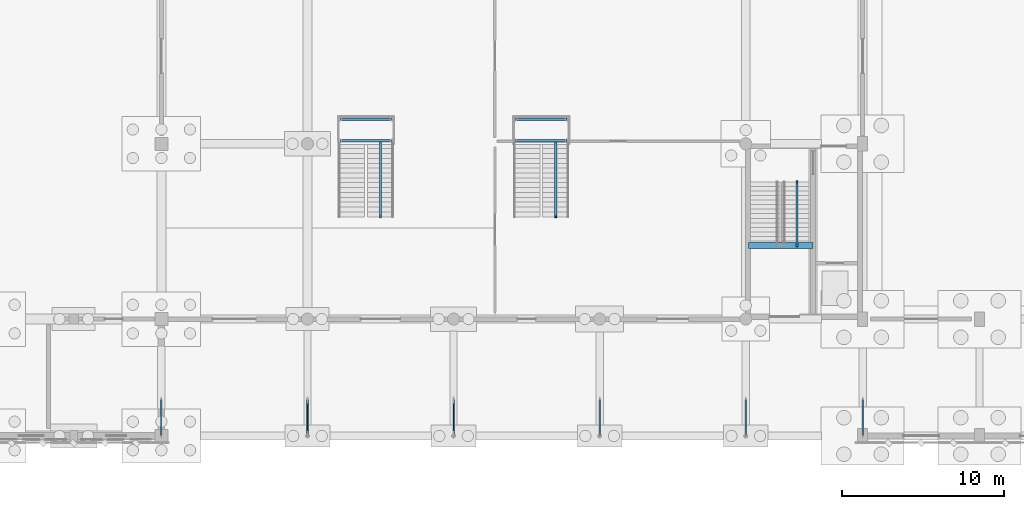
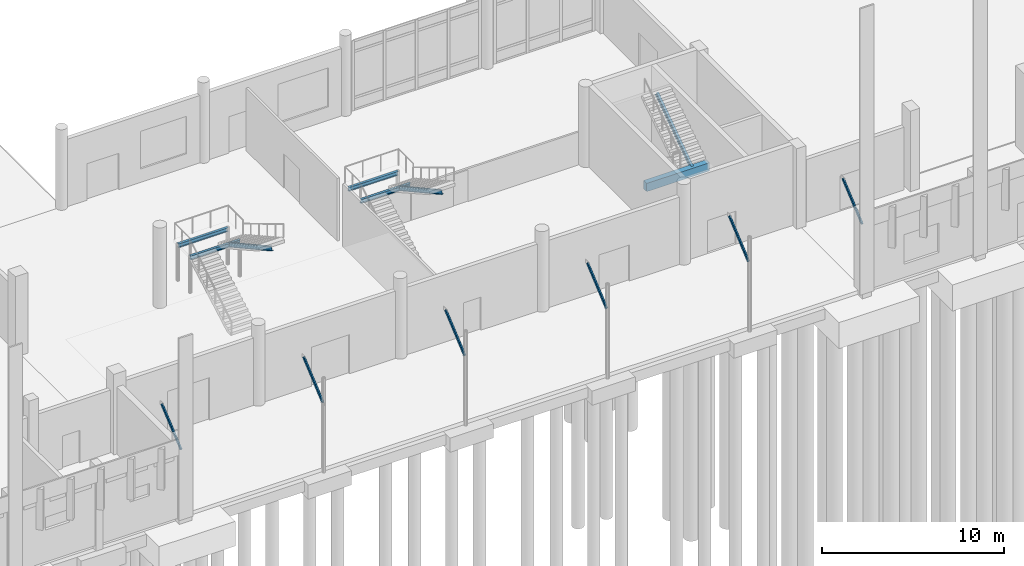
# One storey, part 32 of 109: 8 beams, 6 members.
"""IFC4 building model written with IfcOpenShell, lengths in metres."""

from ifc_helpers import new_model, si_unit, direction, frame, origin, origin_2d, place, context, subcontext, project, spatial, rectangle, hollow_rectangle, i_section, extrude, material, material_profile, profile_set, type_object, element, save


model = new_model("IFC4")

# Units and contexts
model_context = context("Model", 3, precision=1e-05, world=origin(), true_north=direction((0.0, 1.0)))
body_context = subcontext(model_context, "Body", "Model", "MODEL_VIEW")
ifc_project = project(units=[si_unit("LENGTHUNIT", "METRE"), si_unit("AREAUNIT", "SQUARE_METRE"), si_unit("VOLUMEUNIT", "CUBIC_METRE"), si_unit("PLANEANGLEUNIT", "RADIAN"), si_unit("MASSUNIT", "GRAM", prefix="KILO")], contexts=[model_context])

# Site, building, storey
site_placement = place(None, origin())
site = spatial("IfcSite", under=ifc_project, at=site_placement, CompositionType="ELEMENT")
building_placement = place(site_placement, origin())
building = spatial("IfcBuilding", under=site, at=building_placement, Name="Lusvemor Sports Hall", CompositionType="ELEMENT")
storey_placement = place(building_placement, origin())
storey = spatial("IfcBuildingStorey", under=building, at=storey_placement, Name="L00", CompositionType="ELEMENT", Elevation=0.0)

# Beams
ifc_material_1 = material(Name="Concrete C40/50", Category="concrete")
ifc_material_profile_1 = material_profile(ifc_material_1, rectangle(XDim=0.35009765625, YDim=0.550048828125, at=origin_2d()), Name="RC350x550")
ifc_profile_set_1 = profile_set([ifc_material_profile_1], Name="Concrete C40/50")
beam_type_1 = type_object("IfcBeamType", Name="BEAM_RC_550", PredefinedType="BEAM", material=ifc_profile_set_1)
beam_1_placement = place(storey_placement, frame((111.760009765625, 11.72998046875, 2.2451171875), z_axis=(1.0, 0.0, 0.0), x_axis=(0.0, 1.0, 0.0)))
element("IfcBeam", 1, at=beam_1_placement, inside=storey, type_object=beam_type_1, Name="Stair STR-C7-L00 Mid-Landing Beam", PredefinedType="BEAM", context=body_context, shape_type="SweptSolid", body=[
    extrude(rectangle(XDim=0.35009765625, YDim=0.550048828125, at=origin_2d()), origin(), (0.0, 0.0, 1.0), 3.97998046875),
])
ifc_material_2 = material(Name="Steel S355", Category="steel")
ifc_material_profile_2 = material_profile(ifc_material_2, i_section(OverallWidth=0.14794921875, OverallDepth=0.26611328125, WebThickness=0.007568359375, FlangeThickness=0.012939453125, FilletRadius=0.012939453125, at=origin_2d()), Name="W250x44.8")
ifc_profile_set_2 = profile_set([ifc_material_profile_2], Name="Steel S355")
beam_type_2 = type_object("IfcBeamType", Name="JOIST_ST_250M", PredefinedType="JOIST", material=ifc_profile_set_2)
beam_2_placement = place(storey_placement, frame((114.760009765625, 11.72998046875, 2.35498046875), z_axis=(0.0, 0.823550731654, 0.567242622158), x_axis=(-1.0, 0.0, 0.0)))
element("IfcBeam", 2, at=beam_2_placement, inside=storey, type_object=beam_type_2, Name="Stair STR-C7-L00 Flight 2 Stringer Beam", PredefinedType="JOIST", context=body_context, shape_type="SweptSolid", body=[
    extrude(i_section(OverallWidth=0.14794921875, OverallDepth=0.26611328125, WebThickness=0.007568359375, FlangeThickness=0.012939453125, FilletRadius=0.012939453125, at=origin_2d()), origin(), (0.0, 0.0, 1.0), 4.759765625),
])
for number, where, z_axis, x_axis, name in (
    (3, (86.6201171875, 18.179931640625, 2.344970703125), (1.0, 0.0, 0.0), (0.0, 1.0, 0.0), "STR-FOY-W Mid Landing Beam"),
    (4, (86.6201171875, 19.52001953125, 2.344970703125), (1.0, 0.0, 0.0), (0.0, 1.0, 0.0), "STR-FOY-W Far Landing Beam"),
):
    element("IfcBeam", number, at=place(storey_placement, frame(where, z_axis=z_axis, x_axis=x_axis)), inside=storey, type_object=beam_type_2, Name=name, PredefinedType="JOIST", context=body_context, shape_type="SweptSolid", body=[
        extrude(i_section(OverallWidth=0.14794921875, OverallDepth=0.26611328125, WebThickness=0.007568359375, FlangeThickness=0.012939453125, FilletRadius=0.012939453125, at=origin_2d()), origin(), (0.0, 0.0, 1.0), 3.159912109375),
    ])
beam_3_placement = place(storey_placement, frame((89.10009765625, 18.179931640625, 2.344970703125), z_axis=(0.0, -0.876137732048, 0.482060861803), x_axis=(1.0, 0.0, 0.0)))
element("IfcBeam", 5, at=beam_3_placement, inside=storey, type_object=beam_type_2, Name="STR-FOY-W Flight 2 Stringer", PredefinedType="JOIST", context=body_context, shape_type="SweptSolid", body=[
    extrude(i_section(OverallWidth=0.14794921875, OverallDepth=0.26611328125, WebThickness=0.007568359375, FlangeThickness=0.012939453125, FilletRadius=0.012939453125, at=origin_2d()), origin(), (0.0, 0.0, 1.0), 5.341552734375),
])
for number, where, z_axis, x_axis, name in (
    (6, (97.419921875, 18.179931640625, 2.344970703125), (1.0, 0.0, 0.0), (0.0, 1.0, 0.0), "STR-FOY-E Mid Landing Beam"),
    (7, (97.419921875, 19.52001953125, 2.344970703125), (1.0, 0.0, 0.0), (0.0, 1.0, 0.0), "STR-FOY-E Far Landing Beam"),
):
    element("IfcBeam", number, at=place(storey_placement, frame(where, z_axis=z_axis, x_axis=x_axis)), inside=storey, type_object=beam_type_2, Name=name, PredefinedType="JOIST", context=body_context, shape_type="SweptSolid", body=[
        extrude(i_section(OverallWidth=0.14794921875, OverallDepth=0.26611328125, WebThickness=0.007568359375, FlangeThickness=0.012939453125, FilletRadius=0.012939453125, at=origin_2d()), origin(), (0.0, 0.0, 1.0), 3.16015625),
    ])
beam_4_placement = place(storey_placement, frame((99.89990234375, 18.179931640625, 2.344970703125), z_axis=(0.0, -0.876137732048, 0.482060861803), x_axis=(1.0, 0.0, 0.0)))
element("IfcBeam", 8, at=beam_4_placement, inside=storey, type_object=beam_type_2, Name="STR-FOY-E Flight 2 Stringer", PredefinedType="JOIST", context=body_context, shape_type="SweptSolid", body=[
    extrude(i_section(OverallWidth=0.14794921875, OverallDepth=0.26611328125, WebThickness=0.007568359375, FlangeThickness=0.012939453125, FilletRadius=0.012939453125, at=origin_2d()), origin(), (0.0, 0.0, 1.0), 5.341552734375),
])

# Members
ifc_material_3 = material(Name="Steel S355", Category="steel")
ifc_material_profile_3 = material_profile(ifc_material_3, hollow_rectangle(XDim=0.10009765625, YDim=0.179931640625, WallThickness=0.008056640625, InnerFilletRadius=0.008056640625, OuterFilletRadius=0.01611328125, at=origin_2d()), Name="RHS180x100x8")
ifc_profile_set_3 = profile_set([ifc_material_profile_3], Name="Steel S355")
member_type = type_object("IfcMemberType", Name="STRUT_CANOPY_180", PredefinedType="STRUT", material=ifc_profile_set_3)
for number, where, z_axis, x_axis, name in (
    (9, (75.60009765625, 0.080078125, 4.300048828125), (0.0, 0.765518995892, 0.643413294025), (-1.0, 0.0, 0.0), "Art Nouveau Canopy Knee Strut 8"),
    (10, (84.60009765625, 0.080078125, 4.300048828125), (0.0, 0.765518995892, 0.643413294025), (-1.0, 0.0, 0.0), "Art Nouveau Canopy Knee Strut 9"),
    (11, (93.60009765625, 0.080078125, 4.300048828125), (0.0, 0.765518995892, 0.643413294025), (-1.0, 0.0, 0.0), "Art Nouveau Canopy Knee Strut 10"),
    (12, (102.60009765625, 0.080078125, 4.300048828125), (0.0, 0.765518995892, 0.643413294025), (-1.0, 0.0, 0.0), "Art Nouveau Canopy Knee Strut 11"),
    (13, (111.60009765625, 0.080078125, 4.300048828125), (0.0, 0.765518995892, 0.643413294025), (-1.0, 0.0, 0.0), "Art Nouveau Canopy Knee Strut 12"),
    (14, (118.800048828125, 0.080078125, 4.300048828125), (0.0, 0.765518995892, 0.643413294025), (-1.0, 0.0, 0.0), "Art Nouveau Canopy Knee Strut 13"),
):
    element("IfcMember", number, at=place(storey_placement, frame(where, z_axis=z_axis, x_axis=x_axis)), inside=storey, type_object=member_type, Name=name, PredefinedType="STRUT", context=body_context, shape_type="SweptSolid", body=[
        extrude(hollow_rectangle(XDim=0.10009765625, YDim=0.179931640625, WallThickness=0.008056640625, InnerFilletRadius=0.008056640625, OuterFilletRadius=0.01611328125, at=origin_2d()), origin(), (0.0, 0.0, 1.0), 2.769287109375),
    ])

save(model, "model.ifc")
